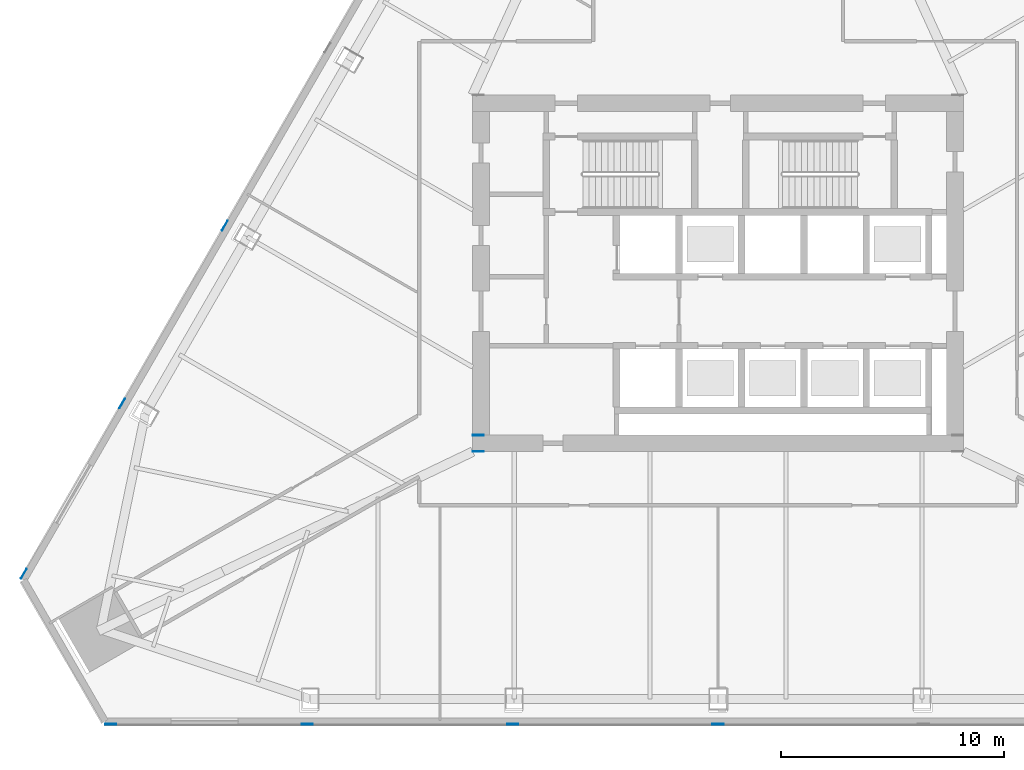
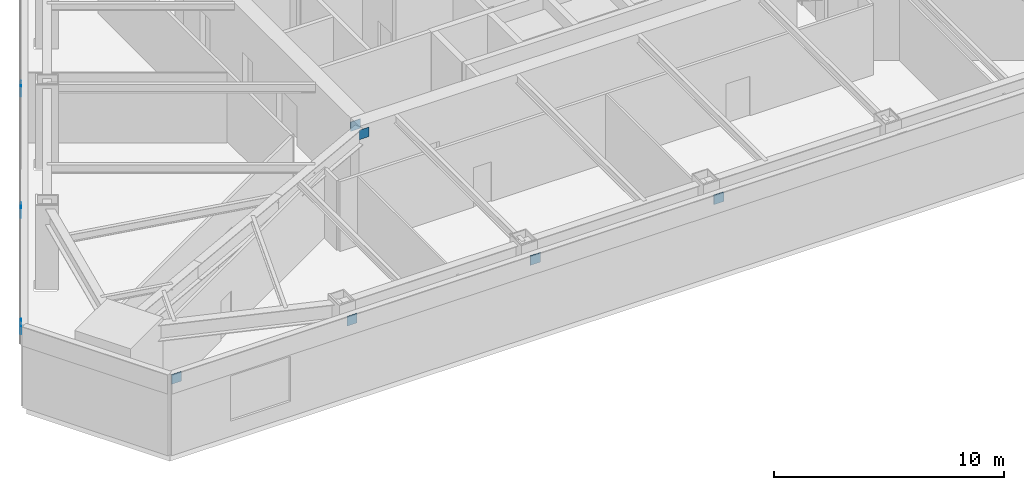
# One storey, part 9 of 14: 9 discrete accessories.
"""IFC4 building model written with IfcOpenShell, lengths in metres."""

from ifc_helpers import new_model, si_unit, direction, frame, origin, origin_2d, place, context, subcontext, project, spatial, rectangle, extrude, material, layer, layer_set, type_object, element, save


model = new_model("IFC4")

# Units and contexts
model_context = context("Model", 3, precision=1e-05, world=origin(), true_north=direction((0.0, 1.0)))
body_context = subcontext(model_context, "Body", "Model", "MODEL_VIEW")
ifc_project = project(units=[si_unit("LENGTHUNIT", "METRE"), si_unit("AREAUNIT", "SQUARE_METRE"), si_unit("VOLUMEUNIT", "CUBIC_METRE"), si_unit("PLANEANGLEUNIT", "RADIAN"), si_unit("MASSUNIT", "GRAM", prefix="KILO")], contexts=[model_context])

# Site, building, storey
site_placement = place(None, origin())
site = spatial("IfcSite", under=ifc_project, at=site_placement, CompositionType="ELEMENT")
building_placement = place(site_placement, origin())
building = spatial("IfcBuilding", under=site, at=building_placement, Name="Firuza Gate Tower and Library", CompositionType="ELEMENT")
storey_placement = place(building_placement, frame((0.0, 0.0, 151.300048828125)))
storey = spatial("IfcBuildingStorey", under=building, at=storey_placement, Name="L34", CompositionType="ELEMENT", Elevation=151.300048828125)

# Discrete accessories
ifc_material = material(Name="Steel S355", Category="steel")
ifc_layer = layer(ifc_material, 0.02490234375)
ifc_layer_set = layer_set([ifc_layer], Name="Cast-in anchor plate 500x500x25 Steel S355")
discrete_accessory_type = type_object("IfcDiscreteAccessoryType", Name="Cast-in anchor plate 500x500x25 Steel S355", PredefinedType="BRACKET", material=ifc_layer_set)
for number, where, z_axis, x_axis, name in (
    (1, (56.58642578125, 54.78173828125, 3.800048828125), (0.0, 0.0, 1.0), (1.0, 0.0, 0.0), "Cast-in anchor plate"),
    (2, (65.793212890625, 54.78173828125, 3.800048828125), (0.0, 0.0, 1.0), (1.0, 0.0, 0.0), "Cast-in anchor plate"),
    (3, (75.0, 54.78173828125, 3.800048828125), (0.0, 0.0, 1.0), (1.0, 0.0, 0.0), "Cast-in anchor plate"),
    (4, (52.88720703125, 77.1357421875, 3.800048828125), (0.0, 0.0, 1.0), (-0.5, -0.866025403784, 0.0), "Cast-in anchor plate"),
    (5, (48.28369140625, 69.16259765625, 3.800048828125), (0.0, 0.0, 1.0), (-0.5, -0.866025403784, 0.0), "Cast-in anchor plate"),
    (6, (47.77294921875, 54.78173828125, 3.800048828125), (0.0, 0.0, 1.0), (1.0, 0.0, 0.0), "Cast-in anchor plate"),
    (7, (43.876953125, 61.52978515625, 3.800048828125), (0.0, 0.0, 1.0), (-0.5, -0.866025403784, 0.0), "Cast-in anchor plate"),
    (8, (64.25, 67.012451171875, 3.593994140625), (0.0, 0.0, 1.0), (1.0, 0.0, 0.0), "Cast-in anchor plate"),
    (9, (64.25, 67.737548828125, 3.593994140625), (0.0, 0.0, 1.0), (1.0, 0.0, 0.0), "Cast-in anchor plate"),
):
    element("IfcDiscreteAccessory", number, at=place(storey_placement, frame(where, z_axis=z_axis, x_axis=x_axis)), inside=storey, type_object=discrete_accessory_type, Name=name, PredefinedType="BRACKET", context=body_context, shape_type="SweptSolid", body=[
        extrude(rectangle(XDim=0.5, YDim=0.02490234375, at=origin_2d()), origin(), (0.0, 0.0, 1.0), 0.5),
    ])

save(model, "model.ifc")
